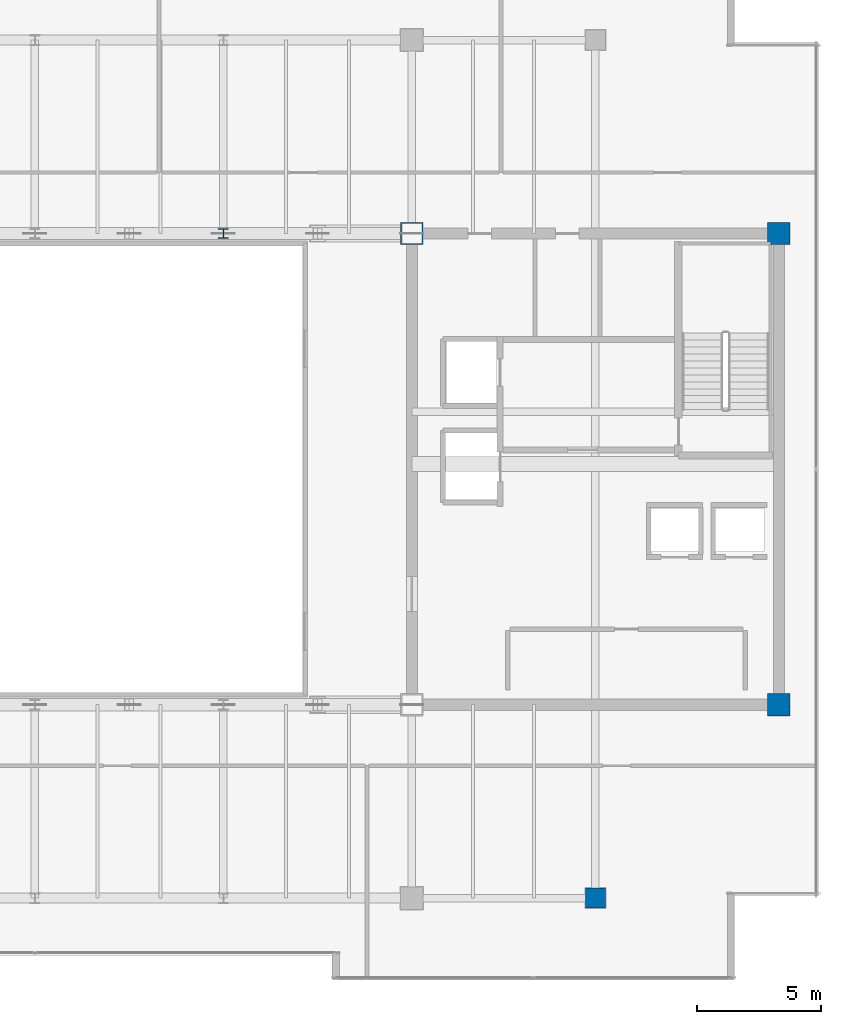
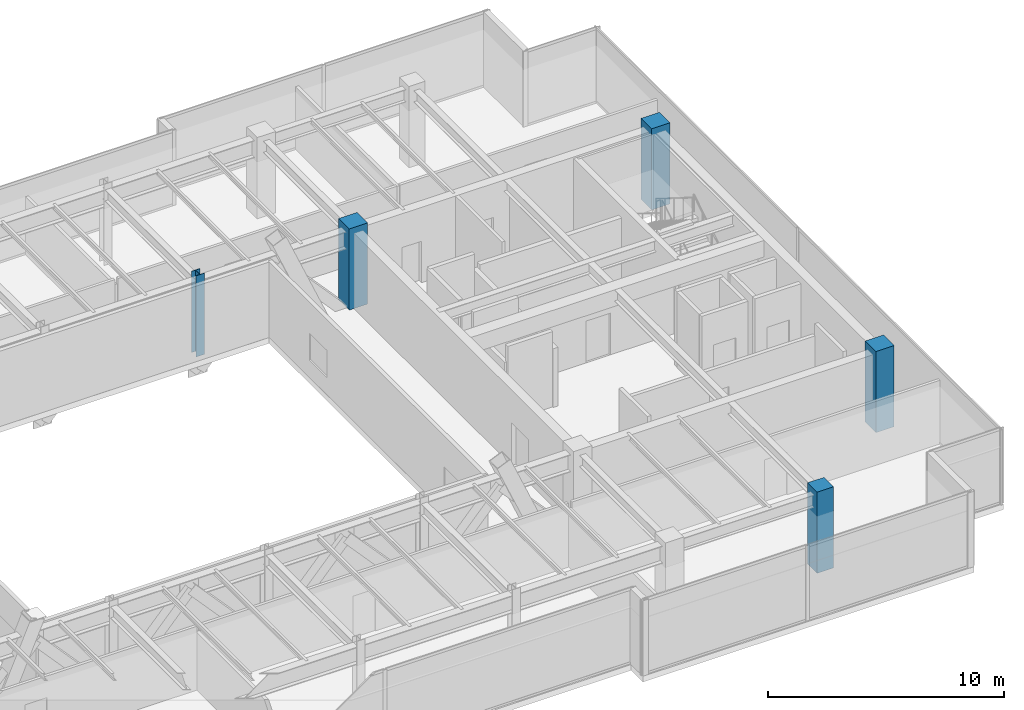
# One storey, part 2 of 32: 5 columns.
"""IFC4 building model written with IfcOpenShell, lengths in metres."""

from ifc_helpers import new_model, si_unit, direction, frame, origin, origin_2d, place, context, subcontext, project, spatial, rectangle, i_section, extrude, source, transform, mapped, material, material_profile, profile_set, type_object, type_shapes, element, save


model = new_model("IFC4")

# Units and contexts
model_context = context("Model", 3, precision=1e-05, world=origin(), true_north=direction((0.0, 1.0)))
body_context = subcontext(model_context, "Body", "Model", "MODEL_VIEW")
ifc_project = project(units=[si_unit("LENGTHUNIT", "METRE"), si_unit("AREAUNIT", "SQUARE_METRE"), si_unit("VOLUMEUNIT", "CUBIC_METRE"), si_unit("PLANEANGLEUNIT", "RADIAN"), si_unit("MASSUNIT", "GRAM", prefix="KILO")], contexts=[model_context])

# Site, building, storey
site_placement = place(None, origin())
site = spatial("IfcSite", under=ifc_project, at=site_placement, CompositionType="ELEMENT")
building_placement = place(site_placement, origin())
building = spatial("IfcBuilding", under=site, at=building_placement, Name="Haelvirn Gate Laboratories", CompositionType="ELEMENT")
storey_placement = place(building_placement, frame((0.0, 0.0, 301.800048828125)))
storey = spatial("IfcBuildingStorey", under=building, at=storey_placement, Name="L72", CompositionType="ELEMENT", Elevation=301.800048828125)

# Columns
ifc_material_1 = material(Name="Concrete C50/60", Category="concrete")
ifc_material_profile_1 = material_profile(ifc_material_1, rectangle(XDim=0.800048828125, YDim=0.800048828125, at=origin_2d()), Name="RC-800x800")
ifc_profile_set_1 = profile_set([ifc_material_profile_1], Name="Concrete C50/60")
column_type_1 = type_object("IfcColumnType", Name="COL-RC-800", PredefinedType="COLUMN", material=ifc_profile_set_1)
shared_shape_1 = source(origin(), body_context, "Body", "SweptSolid", [
    extrude(rectangle(XDim=0.800048828125, YDim=0.800048828125, at=origin_2d()), origin(), (0.0, 0.0, 1.0), 4.199951171875),
])
type_shapes(column_type_1, [shared_shape_1])
column_1_placement = place(storey_placement, frame((60.0, 7.0, 0.0), z_axis=(0.0, 0.0, 1.0), x_axis=(1.0, 0.0, 0.0)))
element("IfcColumn", 1, at=column_1_placement, inside=storey, type_object=column_type_1, Name="L72 Column 9B", PredefinedType="COLUMN", context=body_context, shape_type="MappedRepresentation", body=[
    mapped(shared_shape_1, transform((0.0, 0.0, 0.0), scale=1.0)),
])
ifc_material_profile_2 = material_profile(ifc_material_1, rectangle(XDim=0.89990234375, YDim=0.89990234375, at=origin_2d()), Name="RC-900x900")
ifc_profile_set_2 = profile_set([ifc_material_profile_2], Name="Concrete C50/60")
column_type_2 = type_object("IfcColumnType", Name="COL-RC-900", PredefinedType="COLUMN", material=ifc_profile_set_2)
shared_shape_2 = source(origin(), body_context, "Body", "SweptSolid", [
    extrude(rectangle(XDim=0.89990234375, YDim=0.89990234375, at=origin_2d()), origin(), (0.0, 0.0, 1.0), 4.199951171875),
])
type_shapes(column_type_2, [shared_shape_2])
for number, where, z_axis, x_axis, name in (
    (2, (67.39990234375, 14.800048828125, 0.0), (0.0, 0.0, 1.0), (1.0, 0.0, 0.0), "L72 Column 10C"),
    (3, (52.60009765625, 33.800048828125, 0.0), (0.0, 0.0, 1.0), (1.0, 0.0, 0.0), "L72 Column 8F"),
    (4, (67.39990234375, 33.800048828125, 0.0), (0.0, 0.0, 1.0), (1.0, 0.0, 0.0), "L72 Column 10F"),
):
    element("IfcColumn", number, at=place(storey_placement, frame(where, z_axis=z_axis, x_axis=x_axis)), inside=storey, type_object=column_type_2, Name=name, PredefinedType="COLUMN", context=body_context, shape_type="MappedRepresentation", body=[
        mapped(shared_shape_2, transform((0.0, 0.0, 0.0), scale=1.0)),
    ])
ifc_material_2 = material(Name="Steel SM355", Category="steel")
ifc_material_profile_3 = material_profile(ifc_material_2, i_section(OverallWidth=0.39990234375, OverallDepth=0.39990234375, WebThickness=0.02099609375, FlangeThickness=0.02099609375, at=origin_2d()), Name="H-400x400x21x21")
ifc_profile_set_3 = profile_set([ifc_material_profile_3], Name="Steel SM355")
column_type_3 = type_object("IfcColumnType", Name="COL-H-400", PredefinedType="COLUMN", material=ifc_profile_set_3)
shared_shape_3 = source(origin(), body_context, "Body", "SweptSolid", [
    extrude(i_section(OverallWidth=0.39990234375, OverallDepth=0.39990234375, WebThickness=0.02099609375, FlangeThickness=0.02099609375, at=origin_2d()), origin(), (0.0, 0.0, 1.0), 4.199951171875),
])
type_shapes(column_type_3, [shared_shape_3])
column_2_placement = place(storey_placement, frame((45.0, 33.800048828125, 0.0), z_axis=(0.0, 0.0, 1.0), x_axis=(1.0, 0.0, 0.0)))
element("IfcColumn", 5, at=column_2_placement, inside=storey, type_object=column_type_3, Name="L72 Column 7F", PredefinedType="COLUMN", context=body_context, shape_type="MappedRepresentation", body=[
    mapped(shared_shape_3, transform((0.0, 0.0, 0.0), scale=1.0)),
])

save(model, "model.ifc")
